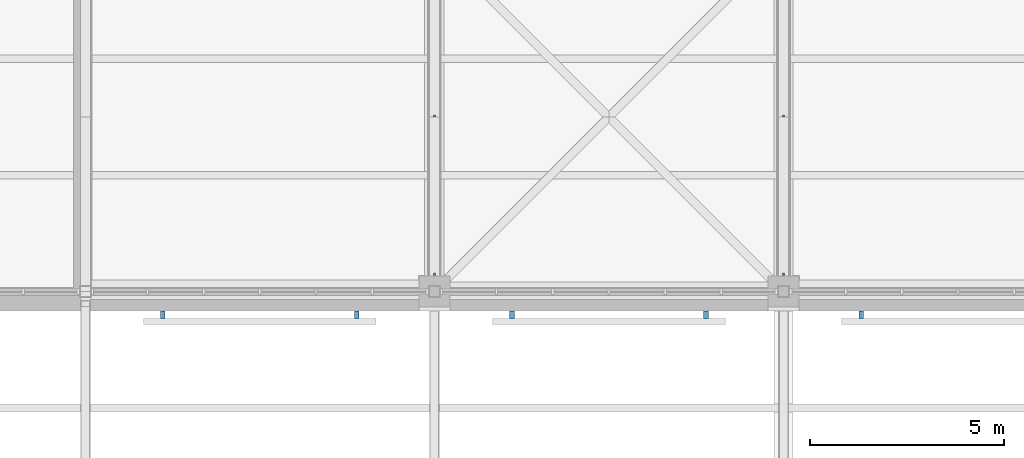
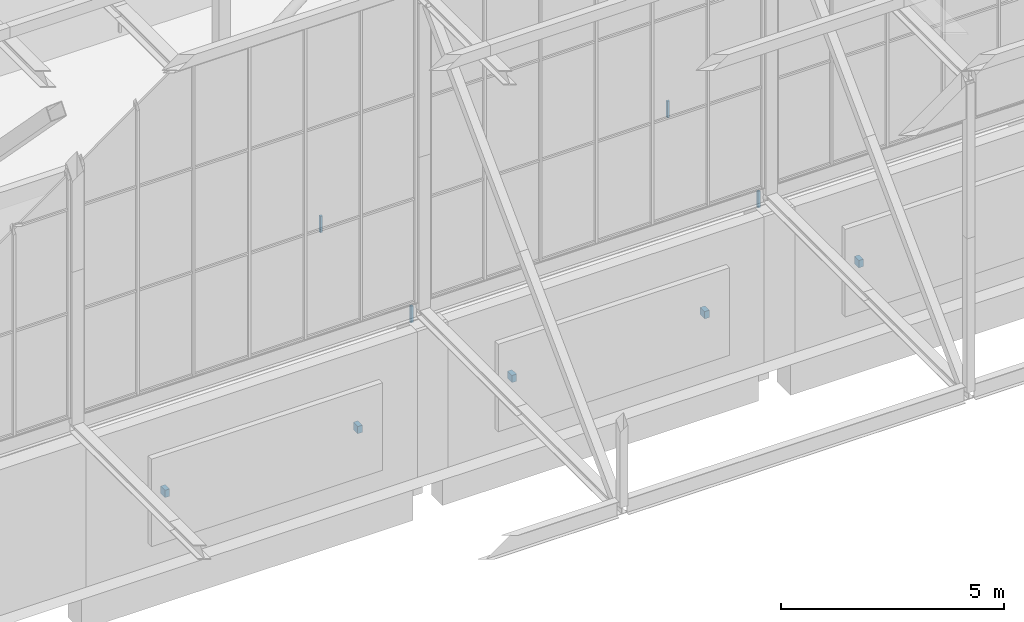
# One storey, part 188 of 646: 9 discrete accessories.
"""IFC4 building model written with IfcOpenShell, lengths in metres."""

from ifc_helpers import new_model, si_unit, direction, frame, origin, origin_2d, place, context, subcontext, project, spatial, rectangle, extrude, material, type_object, element, save


model = new_model("IFC4")

# Units and contexts
model_context = context("Model", 3, precision=1e-05, world=origin(), true_north=direction((0.0, 1.0)))
body_context = subcontext(model_context, "Body", "Model", "MODEL_VIEW")
ifc_project = project(units=[si_unit("LENGTHUNIT", "METRE"), si_unit("AREAUNIT", "SQUARE_METRE"), si_unit("VOLUMEUNIT", "CUBIC_METRE"), si_unit("PLANEANGLEUNIT", "RADIAN"), si_unit("MASSUNIT", "GRAM", prefix="KILO")], contexts=[model_context])

# Site, building, storey
site_placement = place(None, origin())
site = spatial("IfcSite", under=ifc_project, at=site_placement, CompositionType="ELEMENT")
building_placement = place(site_placement, origin())
building = spatial("IfcBuilding", under=site, at=building_placement, Name="Silverbay Arena", CompositionType="ELEMENT")
storey_placement = place(building_placement, frame((0.0, 0.0, 33.5)))
storey = spatial("IfcBuildingStorey", under=building, at=storey_placement, Name="L05", CompositionType="ELEMENT", Elevation=33.5)

# Discrete accessories
ifc_material_1 = material(Name="Steel S355", Category="steel")
discrete_accessory_type_1 = type_object("IfcDiscreteAccessoryType", Name="Ceiling hanger", PredefinedType="BRACKET", material=ifc_material_1)
for number, where, z_axis, x_axis, name in (
    (1, (126.0, 18.449951171875, 3.5498046875), (0.0, 0.0, 1.0), (1.0, 0.0, 0.0), "Ceiling hanger"),
    (2, (126.0, 22.52490234375, 3.5498046875), (0.0, 0.0, 1.0), (1.0, 0.0, 0.0), "Ceiling hanger"),
    (3, (135.0, 18.449951171875, 3.5498046875), (0.0, 0.0, 1.0), (1.0, 0.0, 0.0), "Ceiling hanger"),
    (4, (135.0, 22.52490234375, 3.5498046875), (0.0, 0.0, 1.0), (1.0, 0.0, 0.0), "Ceiling hanger"),
):
    element("IfcDiscreteAccessory", number, at=place(storey_placement, frame(where, z_axis=z_axis, x_axis=x_axis)), inside=storey, type_object=discrete_accessory_type_1, Name=name, PredefinedType="BRACKET", context=body_context, shape_type="SweptSolid", body=[
        extrude(rectangle(XDim=0.06005859375, YDim=0.06005859375, at=origin_2d()), origin(), (0.0, 0.0, 1.0), 0.449951171875),
    ])
ifc_material_2 = material(Name="Steel S355", Category="steel")
discrete_accessory_type_2 = type_object("IfcDiscreteAccessoryType", Name="Steel bracket plate", PredefinedType="BRACKET", material=ifc_material_2)
for number, where, z_axis, x_axis, name in (
    (5, (119.0, 17.39990234375, 1.89990234375), (0.0, 0.0, 1.0), (1.0, 0.0, 0.0), "Louvre support bracket"),
    (6, (124.0, 17.39990234375, 1.89990234375), (0.0, 0.0, 1.0), (1.0, 0.0, 0.0), "Louvre support bracket"),
    (7, (128.0, 17.39990234375, 1.89990234375), (0.0, 0.0, 1.0), (1.0, 0.0, 0.0), "Louvre support bracket"),
    (8, (133.0, 17.39990234375, 1.89990234375), (0.0, 0.0, 1.0), (1.0, 0.0, 0.0), "Louvre support bracket"),
    (9, (137.0, 17.39990234375, 1.89990234375), (0.0, 0.0, 1.0), (1.0, 0.0, 0.0), "Louvre support bracket"),
):
    element("IfcDiscreteAccessory", number, at=place(storey_placement, frame(where, z_axis=z_axis, x_axis=x_axis)), inside=storey, type_object=discrete_accessory_type_2, Name=name, PredefinedType="BRACKET", context=body_context, shape_type="SweptSolid", body=[
        extrude(rectangle(XDim=0.1201171875, YDim=0.199951171875, at=origin_2d()), origin(), (0.0, 0.0, 1.0), 0.199951171875),
    ])

save(model, "model.ifc")
